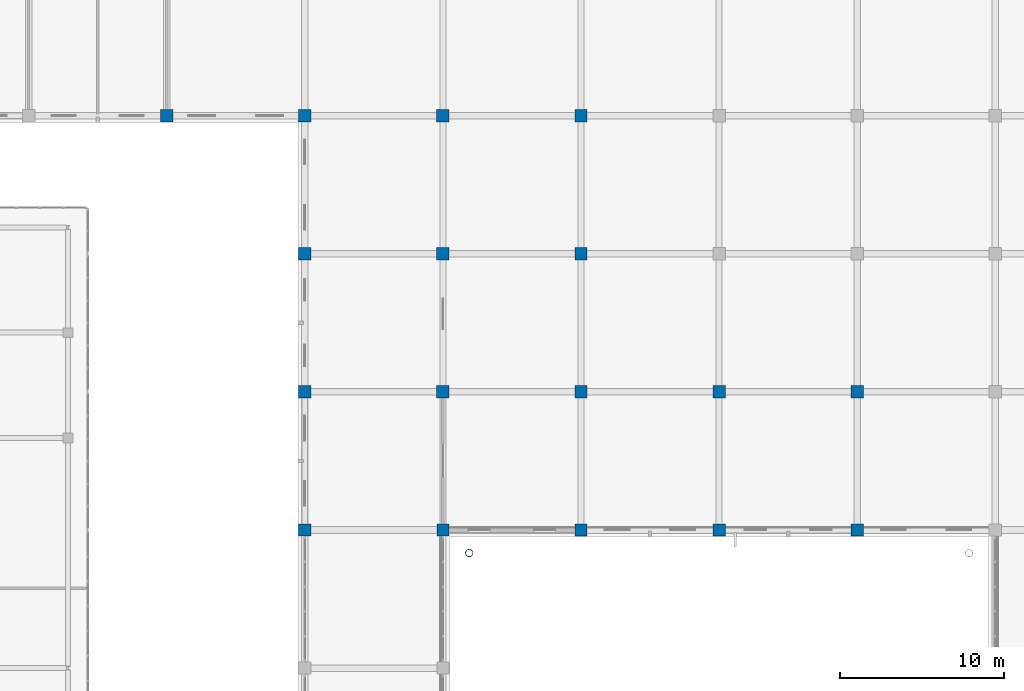
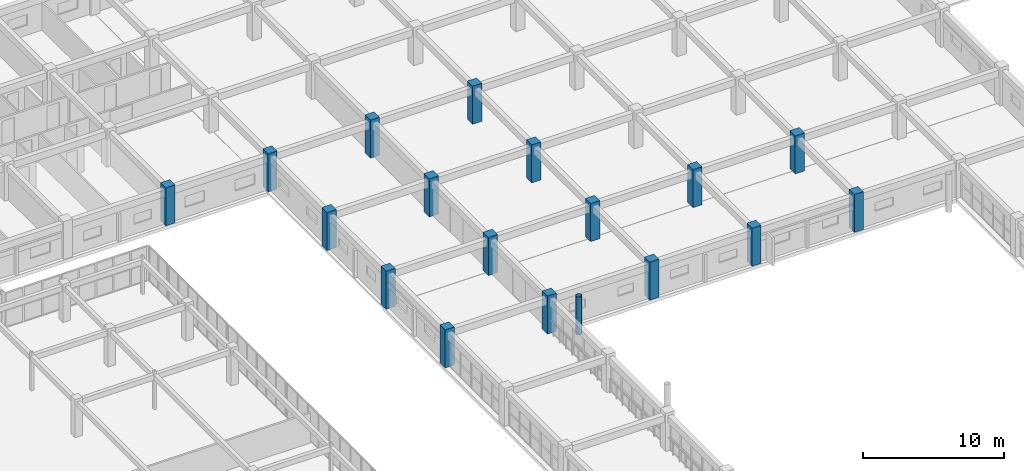
# One storey, part 25 of 200: 18 columns.
"""IFC4 building model written with IfcOpenShell, lengths in metres."""

from ifc_helpers import new_model, si_unit, direction, frame, origin, origin_2d, place, context, subcontext, project, spatial, rectangle, hollow_circle, extrude, material, material_profile, profile_set, type_object, element, save


model = new_model("IFC4")

# Units and contexts
model_context = context("Model", 3, precision=1e-05, world=origin(), true_north=direction((0.0, 1.0)))
body_context = subcontext(model_context, "Body", "Model", "MODEL_VIEW")
ifc_project = project(units=[si_unit("LENGTHUNIT", "METRE"), si_unit("AREAUNIT", "SQUARE_METRE"), si_unit("VOLUMEUNIT", "CUBIC_METRE"), si_unit("PLANEANGLEUNIT", "RADIAN"), si_unit("MASSUNIT", "GRAM", prefix="KILO")], contexts=[model_context])

# Site, building, storey
site_placement = place(None, origin())
site = spatial("IfcSite", under=ifc_project, at=site_placement, CompositionType="ELEMENT")
building_placement = place(site_placement, origin())
building = spatial("IfcBuilding", under=site, at=building_placement, Name="Trelvath General Hospital", CompositionType="ELEMENT")
storey_placement = place(building_placement, frame((0.0, 0.0, 4.800048828125)))
storey = spatial("IfcBuildingStorey", under=building, at=storey_placement, Name="L01", CompositionType="ELEMENT", Elevation=4.800048828125)

# Columns
ifc_material_1 = material(Name="Concrete C40/50", Category="concrete")
ifc_material_profile_1 = material_profile(ifc_material_1, rectangle(XDim=0.75, YDim=0.75, at=origin_2d()), Name="RC750x750")
ifc_profile_set_1 = profile_set([ifc_material_profile_1], Name="Concrete C40/50")
column_type_1 = type_object("IfcColumnType", Name="Column RC750", PredefinedType="COLUMN", material=ifc_profile_set_1)
for number, where, z_axis, x_axis, name in (
    (1, (126.0, 92.39990234375, 0.0), (0.0, 0.0, 1.0), (1.0, 0.0, 0.0), "Column C-16L L01"),
    (2, (134.39990234375, 67.199951171875, 0.0), (0.0, 0.0, 1.0), (1.0, 0.0, 0.0), "Column C-17I L01"),
    (3, (134.39990234375, 75.60009765625, 0.0), (0.0, 0.0, 1.0), (1.0, 0.0, 0.0), "Column C-17J L01"),
    (4, (134.39990234375, 84.0, 0.0), (0.0, 0.0, 1.0), (1.0, 0.0, 0.0), "Column C-17K L01"),
    (5, (134.39990234375, 92.39990234375, 0.0), (0.0, 0.0, 1.0), (1.0, 0.0, 0.0), "Column C-17L L01"),
    (6, (142.800048828125, 67.199951171875, 0.0), (0.0, 0.0, 1.0), (1.0, 0.0, 0.0), "Column C-18I L01"),
    (7, (151.199951171875, 67.199951171875, 0.0), (0.0, 0.0, 1.0), (1.0, 0.0, 0.0), "Column C-19I L01"),
    (8, (159.60009765625, 67.199951171875, 0.0), (0.0, 0.0, 1.0), (1.0, 0.0, 0.0), "Column C-20I L01"),
    (9, (168.0, 67.199951171875, 0.0), (0.0, 0.0, 1.0), (1.0, 0.0, 0.0), "Column C-21I L01"),
):
    element("IfcColumn", number, at=place(storey_placement, frame(where, z_axis=z_axis, x_axis=x_axis)), inside=storey, type_object=column_type_1, Name=name, PredefinedType="COLUMN", context=body_context, shape_type="SweptSolid", body=[
        extrude(rectangle(XDim=0.75, YDim=0.75, at=origin_2d()), origin(), (0.0, 0.0, 1.0), 3.300048828125),
    ])
ifc_material_2 = material(Name="Concrete C40/50", Category="concrete")
ifc_material_profile_2 = material_profile(ifc_material_2, rectangle(XDim=0.760009765625, YDim=0.760009765625, at=origin_2d()), Name="RC760x760")
ifc_profile_set_2 = profile_set([ifc_material_profile_2], Name="Concrete C40/50")
column_type_2 = type_object("IfcColumnType", Name="Column RC760", PredefinedType="COLUMN", material=ifc_profile_set_2)
for number, where, z_axis, x_axis, name in (
    (10, (142.800048828125, 75.60009765625, 0.0), (0.0, 0.0, 1.0), (1.0, 0.0, 0.0), "Column C-18J L01"),
    (11, (142.800048828125, 84.0, 0.0), (0.0, 0.0, 1.0), (1.0, 0.0, 0.0), "Column C-18K L01"),
    (12, (142.800048828125, 92.39990234375, 0.0), (0.0, 0.0, 1.0), (1.0, 0.0, 0.0), "Column C-18L L01"),
    (13, (151.199951171875, 75.60009765625, 0.0), (0.0, 0.0, 1.0), (1.0, 0.0, 0.0), "Column C-19J L01"),
    (14, (151.199951171875, 84.0, 0.0), (0.0, 0.0, 1.0), (1.0, 0.0, 0.0), "Column C-19K L01"),
    (15, (151.199951171875, 92.39990234375, 0.0), (0.0, 0.0, 1.0), (1.0, 0.0, 0.0), "Column C-19L L01"),
    (16, (159.60009765625, 75.60009765625, 0.0), (0.0, 0.0, 1.0), (1.0, 0.0, 0.0), "Column C-20J L01"),
    (17, (168.0, 75.60009765625, 0.0), (0.0, 0.0, 1.0), (1.0, 0.0, 0.0), "Column C-21J L01"),
):
    element("IfcColumn", number, at=place(storey_placement, frame(where, z_axis=z_axis, x_axis=x_axis)), inside=storey, type_object=column_type_2, Name=name, PredefinedType="COLUMN", context=body_context, shape_type="SweptSolid", body=[
        extrude(rectangle(XDim=0.760009765625, YDim=0.760009765625, at=origin_2d()), origin(), (0.0, 0.0, 1.0), 3.300048828125),
    ])
ifc_material_3 = material(Name="Steel S355", Category="steel")
ifc_material_profile_3 = material_profile(ifc_material_3, hollow_circle(Radius=0.228515625, WallThickness=0.01611328125, at=origin_2d()), Name="CHS457.0x16.0")
ifc_profile_set_3 = profile_set([ifc_material_profile_3], Name="Steel S355")
column_type_3 = type_object("IfcColumnType", Name="TreeColumn CHS457", PredefinedType="COLUMN", material=ifc_profile_set_3)
column_placement = place(storey_placement, frame((144.39990234375, 65.800048828125, 0.0), z_axis=(0.0, 0.0, 1.0), x_axis=(1.0, 0.0, 0.0)))
element("IfcColumn", 18, at=column_placement, inside=storey, type_object=column_type_3, Name="Space Frame Tree Column TC-04 L01", PredefinedType="COLUMN", context=body_context, shape_type="SweptSolid", body=[
    extrude(hollow_circle(Radius=0.228515625, WallThickness=0.01611328125, at=origin_2d()), origin(), (0.0, 0.0, 1.0), 3.300048828125),
])

save(model, "model.ifc")
